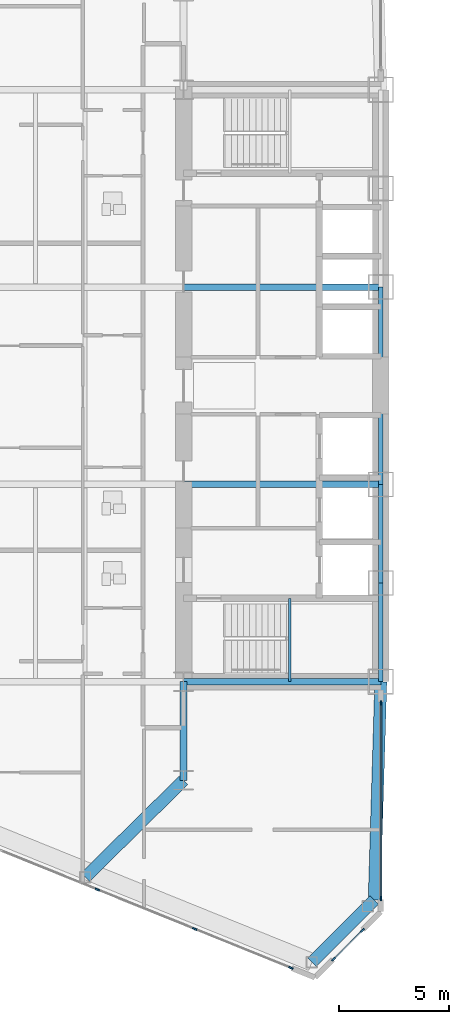
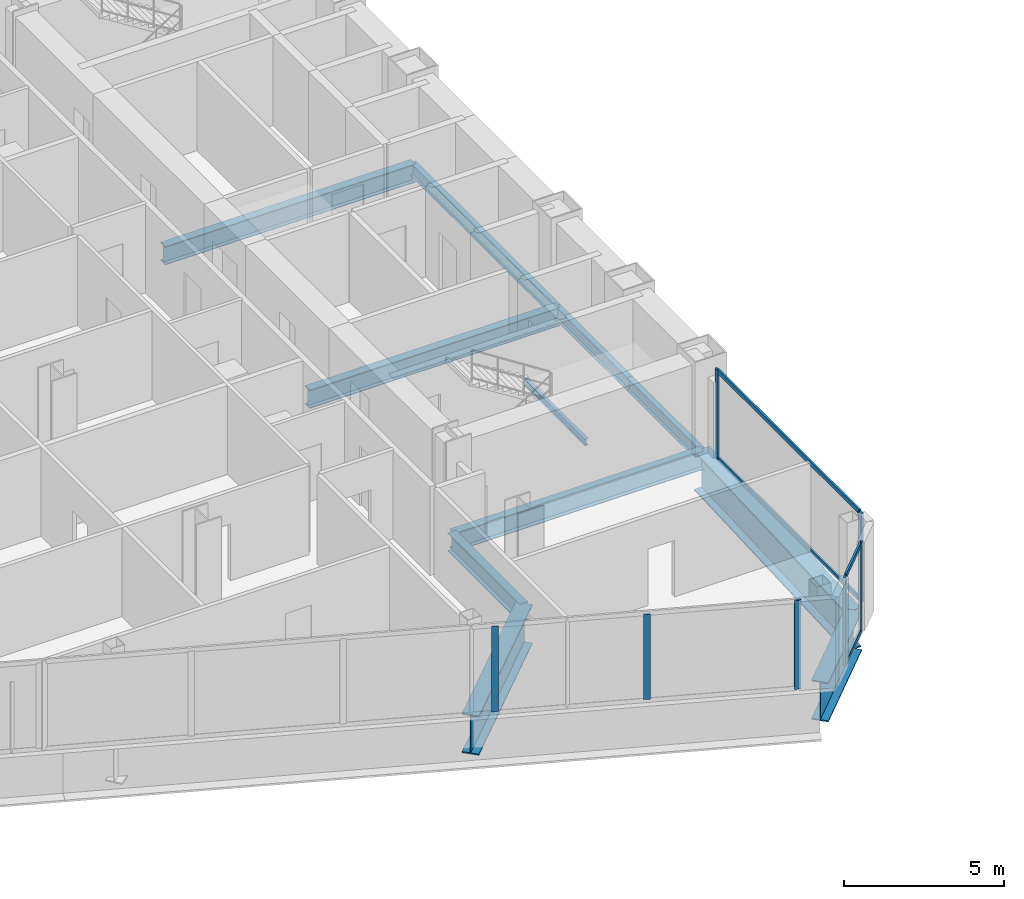
# One storey, part 6 of 26: 11 beams, 11 members, 3 elements without a shape of their own.
"""IFC4 building model written with IfcOpenShell, lengths in metres."""

from ifc_helpers import new_model, si_unit, direction, frame, origin, origin_2d, place, context, subcontext, project, spatial, rectangle, i_section, extrude, source, transform, mapped, material, layer, layer_set, material_profile, profile_set, type_object, type_shapes, element, aggregate, save


model = new_model("IFC4")

# Units and contexts
model_context = context("Model", 3, precision=1e-05, world=origin(), true_north=direction((0.0, 1.0)))
body_context = subcontext(model_context, "Body", "Model", "MODEL_VIEW")
ifc_project = project(units=[si_unit("LENGTHUNIT", "METRE"), si_unit("AREAUNIT", "SQUARE_METRE"), si_unit("VOLUMEUNIT", "CUBIC_METRE"), si_unit("PLANEANGLEUNIT", "RADIAN"), si_unit("MASSUNIT", "GRAM", prefix="KILO")], contexts=[model_context])

# Site, building, storey
site_placement = place(None, origin())
site = spatial("IfcSite", under=ifc_project, at=site_placement, CompositionType="ELEMENT")
building_placement = place(site_placement, origin())
building = spatial("IfcBuilding", under=site, at=building_placement, Name="Seokmaru Belvedere", CompositionType="ELEMENT")
storey_placement = place(building_placement, frame((0.0, 0.0, 18.89990234375)))
storey = spatial("IfcBuildingStorey", under=building, at=storey_placement, Name="L04", CompositionType="ELEMENT", Elevation=18.89990234375)

# Beams
ifc_material_1 = material(Name="Steel SM355 (355 MPa)", Category="steel")
ifc_material_profile_1 = material_profile(ifc_material_1, i_section(OverallWidth=0.199951171875, OverallDepth=0.5, WebThickness=0.010009765625, FlangeThickness=0.01611328125, at=origin_2d()), Name="H-500x200x10x16")
ifc_profile_set_1 = profile_set([ifc_material_profile_1], Name="Steel SM355 (355 MPa)")
beam_type_1 = type_object("IfcBeamType", Name="Perimeter Spandrel Beam H-500", PredefinedType="SPANDREL", material=ifc_profile_set_1)
shared_shape_1 = source(origin(), body_context, "Body", "SweptSolid", [
    extrude(i_section(OverallWidth=0.199951171875, OverallDepth=0.5, WebThickness=0.010009765625, FlangeThickness=0.01611328125, at=origin_2d()), origin(), (0.0, 0.0, 1.0), 4.5),
])
for number, where, z_axis, x_axis, name in (
    (1, (-27.5, -13.5, -0.469970703125), (0.0, 1.0, 0.0), (-1.0, 0.0, 0.0), "L04 W Portal Spine Spandrel 1"),
    (2, (-27.5, -9.0, -0.469970703125), (0.0, 1.0, 0.0), (-1.0, 0.0, 0.0), "L04 W Portal Spine Spandrel 2"),
):
    element("IfcBeam", number, at=place(storey_placement, frame(where, z_axis=z_axis, x_axis=x_axis)), inside=storey, type_object=beam_type_1, Name=name, PredefinedType="SPANDREL", context=body_context, shape_type="MappedRepresentation", body=[
        mapped(shared_shape_1, transform((0.0, 0.0, 0.0), scale=1.0)),
    ])
shared_shape_2 = source(origin(), body_context, "Body", "SweptSolid", [
    extrude(i_section(OverallWidth=0.199951171875, OverallDepth=0.5, WebThickness=0.010009765625, FlangeThickness=0.01611328125, at=origin_2d()), origin(), (0.0, 0.0, 1.0), 9.0),
])
type_shapes(beam_type_1, [shared_shape_1, shared_shape_2])
beam_1_placement = place(storey_placement, frame((-27.5, -4.5, -0.469970703125), z_axis=(0.0, 1.0, 0.0), x_axis=(-1.0, 0.0, 0.0)))
element("IfcBeam", 3, at=beam_1_placement, inside=storey, type_object=beam_type_1, Name="L04 W Portal Spine Spandrel 3", PredefinedType="SPANDREL", context=body_context, shape_type="MappedRepresentation", body=[
    mapped(shared_shape_2, transform((0.0, 0.0, 0.0), scale=1.0)),
])
ifc_material_profile_2 = material_profile(ifc_material_1, i_section(OverallWidth=0.300048828125, OverallDepth=0.699951171875, WebThickness=0.012939453125, FlangeThickness=0.02392578125, at=origin_2d()), Name="H-700x300x13x24")
ifc_profile_set_2 = profile_set([ifc_material_profile_2], Name="Steel SM355 (355 MPa)")
beam_type_2 = type_object("IfcBeamType", Name="Primary Floor Girder H-700", PredefinedType="BEAM", material=ifc_profile_set_2)
shared_shape_3 = source(origin(), body_context, "Body", "SweptSolid", [
    extrude(i_section(OverallWidth=0.300048828125, OverallDepth=0.699951171875, WebThickness=0.012939453125, FlangeThickness=0.02392578125, at=origin_2d()), origin(), (0.0, 0.0, 1.0), 4.5),
])
beam_2_placement = place(storey_placement, frame((-36.5, -18.0, -0.56982421875), z_axis=(0.0, 1.0, 0.0), x_axis=(-1.0, 0.0, 0.0)))
element("IfcBeam", 4, at=beam_2_placement, inside=storey, type_object=beam_type_2, Name="L04 W Core Shoulder Girder S", PredefinedType="BEAM", context=body_context, shape_type="MappedRepresentation", body=[
    mapped(shared_shape_3, transform((0.0, 0.0, 0.0), scale=1.0)),
])
shared_shape_4 = source(origin(), body_context, "Body", "SweptSolid", [
    extrude(i_section(OverallWidth=0.300048828125, OverallDepth=0.699951171875, WebThickness=0.012939453125, FlangeThickness=0.02392578125, at=origin_2d()), origin(), (0.0, 0.0, 1.0), 9.0),
])
type_shapes(beam_type_2, [shared_shape_3, shared_shape_4])
for number, where, z_axis, x_axis, name in (
    (5, (-36.5, -13.5, -0.56982421875), (1.0, 0.0, 0.0), (0.0, 1.0, 0.0), "L04 W Core Tie Girder 1"),
    (6, (-36.5, -4.5, -0.56982421875), (1.0, 0.0, 0.0), (0.0, 1.0, 0.0), "L04 W Core Tie Girder 2"),
    (7, (-36.5, 4.5, -0.56982421875), (1.0, 0.0, 0.0), (0.0, 1.0, 0.0), "L04 W Core Tie Girder 3"),
):
    element("IfcBeam", number, at=place(storey_placement, frame(where, z_axis=z_axis, x_axis=x_axis)), inside=storey, type_object=beam_type_2, Name=name, PredefinedType="BEAM", context=body_context, shape_type="MappedRepresentation", body=[
        mapped(shared_shape_4, transform((0.0, 0.0, 0.0), scale=1.0)),
    ])
ifc_material_2 = material(Name="Steel HSA650 (650 MPa)", Category="steel")
ifc_material_profile_3 = material_profile(ifc_material_2, i_section(OverallWidth=0.550048828125, OverallDepth=1.5, WebThickness=0.028076171875, FlangeThickness=0.044921875, at=origin_2d()), Name="BH-1500x550x28x45")
ifc_profile_set_3 = profile_set([ifc_material_profile_3], Name="Steel HSA650 (650 MPa)")
beam_type_3 = type_object("IfcBeamType", Name="Setback Transfer Girder BH-1500", PredefinedType="BEAM", material=ifc_profile_set_3)
shared_shape_5 = source(origin(), body_context, "Body", "SweptSolid", [
    extrude(i_section(OverallWidth=0.550048828125, OverallDepth=1.5, WebThickness=0.028076171875, FlangeThickness=0.044921875, at=origin_2d()), origin(), (0.0, 0.0, 1.0), 4.02099609375),
])
beam_3_placement = place(storey_placement, frame((-30.643310546875, -26.294677734375, -0.969970703125), z_axis=(0.707106781187, 0.707106781187, 0.0), x_axis=(-0.707106781187, 0.707106781187, 0.0)))
element("IfcBeam", 8, at=beam_3_placement, inside=storey, type_object=beam_type_3, Name="L04 W Podium Shoulder Transfer Girder S", PredefinedType="BEAM", context=body_context, shape_type="MappedRepresentation", body=[
    mapped(shared_shape_5, transform((0.0, 0.0, 0.0), scale=1.0)),
])
shared_shape_6 = source(origin(), body_context, "Body", "SweptSolid", [
    extrude(i_section(OverallWidth=0.550048828125, OverallDepth=1.5, WebThickness=0.028076171875, FlangeThickness=0.044921875, at=origin_2d()), origin(), (0.0, 0.0, 1.0), 9.9560546875),
])
beam_4_placement = place(storey_placement, frame((-27.800048828125, -23.451416015625, -0.969970703125), z_axis=(0.030137674137, 0.999545757131, 0.0), x_axis=(-0.999545757131, 0.030137674137, 0.0)))
element("IfcBeam", 9, at=beam_4_placement, inside=storey, type_object=beam_type_3, Name="L04 W Podium Spine Transfer Tie S", PredefinedType="BEAM", context=body_context, shape_type="MappedRepresentation", body=[
    mapped(shared_shape_6, transform((0.0, 0.0, 0.0), scale=1.0)),
])
shared_shape_7 = source(origin(), body_context, "Body", "SweptSolid", [
    extrude(i_section(OverallWidth=0.550048828125, OverallDepth=1.5, WebThickness=0.028076171875, FlangeThickness=0.044921875, at=origin_2d()), origin(), (0.0, 0.0, 1.0), 6.287353515625),
])
type_shapes(beam_type_3, [shared_shape_5, shared_shape_6, shared_shape_7])
beam_5_placement = place(storey_placement, frame((-40.977294921875, -22.4140625, -0.969970703125), z_axis=(0.712117485263, 0.702060315915, 0.0), x_axis=(-0.702060315915, 0.712117485263, 0.0)))
element("IfcBeam", 10, at=beam_5_placement, inside=storey, type_object=beam_type_3, Name="L04 W Flank Radial Floor Girder S-1", PredefinedType="BEAM", context=body_context, shape_type="MappedRepresentation", body=[
    mapped(shared_shape_7, transform((0.0, 0.0, 0.0), scale=1.0)),
])

# Curtain wall, members
ifc_material_3 = material(Name="Bronze Triple Insulating Glass", Category="glass")
ifc_layer = layer(ifc_material_3, 0.2099609375)
ifc_layer_set = layer_set([ifc_layer], Name="Bronze Triple Insulating Glass")
curtain_wall_type = type_object("IfcCurtainWallType", Name="Low-Rise Faceted Crystal Curtain Wall System CW-2", PredefinedType="NOTDEFINED", material=ifc_layer_set)
curtain_wall_1_placement = place(storey_placement, origin())
curtain_wall_1 = element("IfcCurtainWall", 11, at=curtain_wall_1_placement, inside=storey, type_object=curtain_wall_type, Name="L04 Curtain Wall WSP_1", PredefinedType="NOTDEFINED")
ifc_material_4 = material(Name="Anodised Bronze Aluminium", Category="aluminium")
ifc_material_profile_4 = material_profile(ifc_material_4, rectangle(XDim=0.074951171875, YDim=0.2099609375, at=origin_2d()), Name="CW-M-75x210")
ifc_profile_set_4 = profile_set([ifc_material_profile_4], Name="Anodised Bronze Aluminium")
member_type_1 = type_object("IfcMemberType", Name="Bronze Unitised Mullion 75x210", PredefinedType="MULLION", material=ifc_profile_set_4)
shared_shape_8 = source(origin(), body_context, "Body", "SweptSolid", [
    extrude(rectangle(XDim=0.074951171875, YDim=0.2099609375, at=origin_2d()), origin(), (0.0, 0.0, 1.0), 3.380126953125),
])
member_1_placement = place(storey_placement, frame((-27.5, -23.392578125, 0.0), z_axis=(0.0, 0.0, 1.0), x_axis=(-1.0, 0.0, 0.0)))
member_1 = element("IfcMember", 12, at=member_1_placement, type_object=member_type_1, Name="CW:L04:WSP_1 Mullion 1", PredefinedType="MULLION", context=body_context, shape_type="MappedRepresentation", body=[
    mapped(shared_shape_8, transform((0.0, 0.0, 0.0), scale=1.0)),
])
member_2_placement = place(storey_placement, frame((-27.5, -14.467529296875, 0.0), z_axis=(0.0, 0.0, 1.0), x_axis=(-1.0, 0.0, 0.0)))
member_2 = element("IfcMember", 13, at=member_2_placement, type_object=member_type_1, Name="CW:L04:WSP_1 Mullion 2", PredefinedType="MULLION", context=body_context, shape_type="MappedRepresentation", body=[
    mapped(shared_shape_8, transform((0.0, 0.0, 0.0), scale=1.0)),
])

# Curtain wall, member
curtain_wall_2_placement = place(storey_placement, origin())
curtain_wall_2 = element("IfcCurtainWall", 14, at=curtain_wall_2_placement, inside=storey, type_object=curtain_wall_type, Name="L04 Curtain Wall WF5", PredefinedType="NOTDEFINED")
member_3_placement = place(storey_placement, frame((-31.600830078125, -26.554443359375, 0.0), z_axis=(0.0, 0.0, 1.0), x_axis=(0.375192321888, 0.926946989637, 0.0)))
member_3 = element("IfcMember", 15, at=member_3_placement, type_object=member_type_1, Name="CW:L04:WF5 Mullion 10", PredefinedType="MULLION", context=body_context, shape_type="MappedRepresentation", body=[
    mapped(shared_shape_8, transform((0.0, 0.0, 0.0), scale=1.0)),
])

# Curtain wall, members
curtain_wall_3_placement = place(storey_placement, origin())
curtain_wall_3 = element("IfcCurtainWall", 16, at=curtain_wall_3_placement, inside=storey, type_object=curtain_wall_type, Name="L04 Curtain Wall WF6", PredefinedType="NOTDEFINED")
member_4_placement = place(storey_placement, frame((-29.660400390625, -26.160400390625, 0.0), z_axis=(0.0, 0.0, 1.0), x_axis=(-0.707106781187, 0.707106781187, 0.0)))
member_4 = element("IfcMember", 17, at=member_4_placement, type_object=member_type_1, Name="CW:L04:WF6 Mullion 1", PredefinedType="MULLION", context=body_context, shape_type="MappedRepresentation", body=[
    mapped(shared_shape_8, transform((0.0, 0.0, 0.0), scale=1.0)),
])
member_5_placement = place(storey_placement, frame((-28.339599609375, -24.839599609375, 0.0), z_axis=(0.0, 0.0, 1.0), x_axis=(-0.707106781187, 0.707106781187, 0.0)))
member_5 = element("IfcMember", 18, at=member_5_placement, type_object=member_type_1, Name="CW:L04:WF6 Mullion 2", PredefinedType="MULLION", context=body_context, shape_type="MappedRepresentation", body=[
    mapped(shared_shape_8, transform((0.0, 0.0, 0.0), scale=1.0)),
])

# Member
ifc_material_profile_5 = material_profile(ifc_material_4, rectangle(XDim=0.070068359375, YDim=0.1650390625, at=origin_2d()), Name="CW-T-70x165")
ifc_profile_set_5 = profile_set([ifc_material_profile_5], Name="Anodised Bronze Aluminium")
member_type_2 = type_object("IfcMemberType", Name="Bronze Unitised Transom 70x165", PredefinedType="USERDEFINED", material=ifc_profile_set_5)
shared_shape_9 = source(origin(), body_context, "Body", "SweptSolid", [
    extrude(rectangle(XDim=0.070068359375, YDim=0.1650390625, at=origin_2d()), origin(), (0.0, 0.0, 1.0), 8.85009765625),
])
member_6_placement = place(storey_placement, frame((-27.5, -23.35498046875, 0.03515625), z_axis=(0.0, 1.0, 0.0), x_axis=(-1.0, 0.0, 0.0)))
member_6 = element("IfcMember", 19, at=member_6_placement, type_object=member_type_2, Name="CW:L04:WSP_1 Continuous Transom 1", ObjectType="TRANSOM", PredefinedType="USERDEFINED", context=body_context, shape_type="MappedRepresentation", body=[
    mapped(shared_shape_9, transform((0.0, 0.0, 0.0), scale=1.0)),
])

member_7_placement = place(storey_placement, frame((-27.5, -23.35498046875, 3.34521484375), z_axis=(0.0, 1.0, 0.0), x_axis=(-1.0, 0.0, 0.0)))
member_7 = element("IfcMember", 20, at=member_7_placement, type_object=member_type_2, Name="CW:L04:WSP_1 Continuous Transom 2", ObjectType="TRANSOM", PredefinedType="USERDEFINED", context=body_context, shape_type="MappedRepresentation", body=[
    mapped(shared_shape_9, transform((0.0, 0.0, 0.0), scale=1.0)),
])

aggregate(curtain_wall_1, [member_1, member_2, member_6, member_7])

shared_shape_10 = source(origin(), body_context, "Body", "SweptSolid", [
    extrude(rectangle(XDim=0.070068359375, YDim=0.1650390625, at=origin_2d()), origin(), (0.0, 0.0, 1.0), 1.792724609375),
])
type_shapes(member_type_2, [shared_shape_9, shared_shape_10])
member_8_placement = place(storey_placement, frame((-29.6337890625, -26.1337890625, 0.03515625), z_axis=(0.707106781187, 0.707106781187, 0.0), x_axis=(-0.707106781187, 0.707106781187, 0.0)))
member_8 = element("IfcMember", 21, at=member_8_placement, type_object=member_type_2, Name="CW:L04:WF6 Continuous Transom 1", ObjectType="TRANSOM", PredefinedType="USERDEFINED", context=body_context, shape_type="MappedRepresentation", body=[
    mapped(shared_shape_10, transform((0.0, 0.0, 0.0), scale=1.0)),
])

member_9_placement = place(storey_placement, frame((-29.6337890625, -26.1337890625, 3.34521484375), z_axis=(0.707106781187, 0.707106781187, 0.0), x_axis=(-0.707106781187, 0.707106781187, 0.0)))
member_9 = element("IfcMember", 22, at=member_9_placement, type_object=member_type_2, Name="CW:L04:WF6 Continuous Transom 2", ObjectType="TRANSOM", PredefinedType="USERDEFINED", context=body_context, shape_type="MappedRepresentation", body=[
    mapped(shared_shape_10, transform((0.0, 0.0, 0.0), scale=1.0)),
])

aggregate(curtain_wall_3, [member_4, member_5, member_8, member_9])

shared_shape_11 = source(origin(), body_context, "Body", "SweptSolid", [
    extrude(rectangle(XDim=0.074951171875, YDim=0.2099609375, at=origin_2d()), origin(), (0.0, 0.0, 1.0), 3.239990234375),
])
type_shapes(member_type_1, [shared_shape_8, shared_shape_11])
member_10_placement = place(storey_placement, frame((-40.425537109375, -22.982421875, 0.070068359375), z_axis=(0.0, 0.0, 1.0), x_axis=(0.375192321888, 0.926946989637, 0.0)))
member_10 = element("IfcMember", 23, at=member_10_placement, type_object=member_type_1, Name="CW:L04:WF5 Mullion 8", PredefinedType="MULLION", context=body_context, shape_type="MappedRepresentation", body=[
    mapped(shared_shape_11, transform((0.0, 0.0, 0.0), scale=1.0)),
])

member_11_placement = place(storey_placement, frame((-35.995849609375, -24.775390625, 0.070068359375), z_axis=(0.0, 0.0, 1.0), x_axis=(0.375192321888, 0.926946989637, 0.0)))
member_11 = element("IfcMember", 24, at=member_11_placement, type_object=member_type_1, Name="CW:L04:WF5 Mullion 9", PredefinedType="MULLION", context=body_context, shape_type="MappedRepresentation", body=[
    mapped(shared_shape_11, transform((0.0, 0.0, 0.0), scale=1.0)),
])

aggregate(curtain_wall_2, [member_10, member_11, member_3])

# Beam
ifc_material_profile_6 = material_profile(ifc_material_1, i_section(OverallWidth=0.125, OverallDepth=0.25, WebThickness=0.006103515625, FlangeThickness=0.009033203125, at=origin_2d()), Name="H-250x125x6x9")
ifc_profile_set_6 = profile_set([ifc_material_profile_6], Name="Steel SM355 (355 MPa)")
beam_type_4 = type_object("IfcBeamType", Name="Stair Mid-Landing Support Beam H-250", PredefinedType="JOIST", material=ifc_profile_set_6)
shared_shape_12 = source(origin(), body_context, "Body", "SweptSolid", [
    extrude(i_section(OverallWidth=0.125, OverallDepth=0.25, WebThickness=0.006103515625, FlangeThickness=0.009033203125, at=origin_2d()), origin(), (0.0, 0.0, 1.0), 3.800048828125),
])
type_shapes(beam_type_4, [shared_shape_12])
beam_6_placement = place(storey_placement, frame((-31.64990234375, -13.5, 1.47509765625), z_axis=(0.0, 1.0, 0.0), x_axis=(-1.0, 0.0, 0.0)))
element("IfcBeam", 25, at=beam_6_placement, inside=storey, type_object=beam_type_4, Name="L04 Stair ST-W1 Mid-Landing Support Beam 1", PredefinedType="JOIST", context=body_context, shape_type="MappedRepresentation", body=[
    mapped(shared_shape_12, transform((0.0, 0.0, 0.0), scale=1.0)),
])

save(model, "model.ifc")
